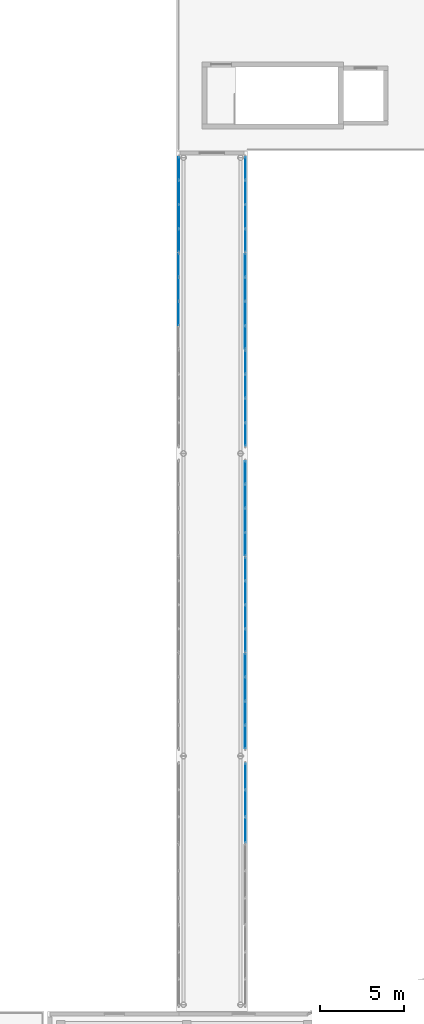
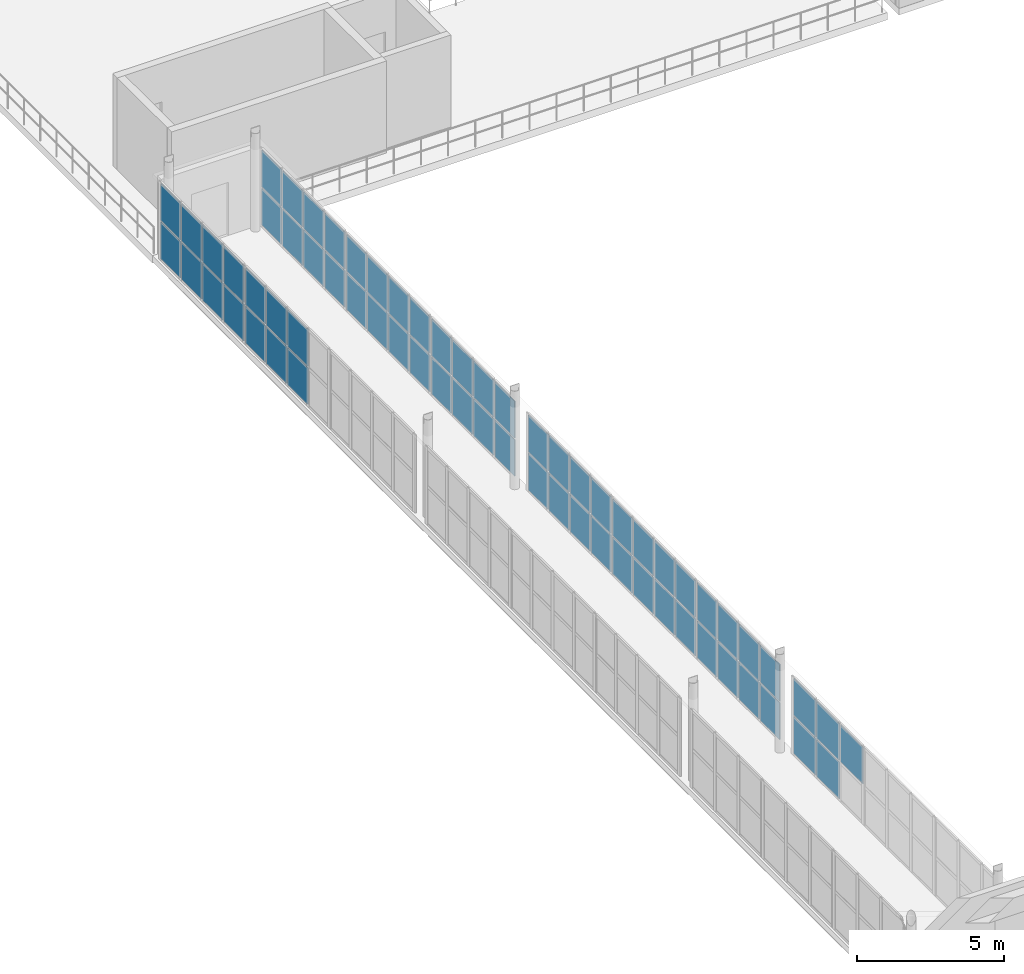
# One storey, part 39 of 52: 67 plates, 9 elements without a shape of their own.
"""IFC4 building model written with IfcOpenShell, lengths in metres."""

from ifc_helpers import new_model, si_unit, direction, frame, origin, origin_2d, place, context, subcontext, project, spatial, rectangle, extrude, material, layer, layer_set, type_object, element, aggregate, save


model = new_model("IFC4")

# Units and contexts
model_context = context("Model", 3, precision=1e-05, world=origin(), true_north=direction((0.0, 1.0)))
body_context = subcontext(model_context, "Body", "Model", "MODEL_VIEW")
ifc_project = project(units=[si_unit("LENGTHUNIT", "METRE"), si_unit("AREAUNIT", "SQUARE_METRE"), si_unit("VOLUMEUNIT", "CUBIC_METRE"), si_unit("PLANEANGLEUNIT", "RADIAN"), si_unit("MASSUNIT", "GRAM", prefix="KILO")], contexts=[model_context])

# Site, building, storey
site_placement = place(None, origin())
site = spatial("IfcSite", under=ifc_project, at=site_placement, CompositionType="ELEMENT")
building_placement = place(site_placement, origin())
building = spatial("IfcBuilding", under=site, at=building_placement, Name="Valcora Specialist Clinic", CompositionType="ELEMENT")
storey_placement = place(building_placement, frame((0.0, 0.0, 17.679931640625)))
storey = spatial("IfcBuildingStorey", under=building, at=storey_placement, Name="L04", CompositionType="ELEMENT", Elevation=17.679931640625)

# Curtain wall, plates
ifc_material_1 = material(Name="Anodized Bronze Aluminium 6063-T6", Category="aluminium")
ifc_layer_1 = layer(ifc_material_1, 0.175048828125)
ifc_layer_set_1 = layer_set([ifc_layer_1], Name="Anodized Bronze Aluminium 6063-T6")
curtain_wall_type = type_object("IfcCurtainWallType", Name="TY-CW-BRG14", PredefinedType="NOTDEFINED", material=ifc_layer_set_1)
curtain_wall_1_placement = place(storey_placement, origin())
curtain_wall_1 = element("IfcCurtainWall", 1, at=curtain_wall_1_placement, inside=storey, type_object=curtain_wall_type, Name="Curtain wall CW-L04-274", PredefinedType="NOTDEFINED")
ifc_material_2 = material(Name="Low-E Laminated Insulating Glass", Category="glass")
ifc_layer_2 = layer(ifc_material_2, 0.028076171875)
ifc_layer_set_2 = layer_set([ifc_layer_2], Name="Low-E Laminated Insulating Glass")
plate_type_1 = type_object("IfcPlateType", Name="TY-CWP-GLZ28", PredefinedType="CURTAIN_PANEL", material=ifc_layer_set_2)
plate_1_placement = place(storey_placement, frame((61.320068359375, 64.3291015625, 0.065185546875), z_axis=(0.0, 0.0, 1.0), x_axis=(0.0, 1.0, 0.0)))
plate_1 = element("IfcPlate", 2, at=plate_1_placement, type_object=plate_type_1, Name="CW-BRG-14 panel 2.1", PredefinedType="CURTAIN_PANEL", context=body_context, shape_type="SweptSolid", body=[
    extrude(rectangle(XDim=1.376708984375, YDim=0.028076171875, at=origin_2d()), origin(), (0.0, 0.0, 1.0), 1.5224609375),
])
plate_2_placement = place(storey_placement, frame((61.320068359375, 64.3291015625, 1.652587890625), z_axis=(0.0, 0.0, 1.0), x_axis=(0.0, 1.0, 0.0)))
plate_2 = element("IfcPlate", 3, at=plate_2_placement, type_object=plate_type_1, Name="CW-BRG-14 panel 2.2", PredefinedType="CURTAIN_PANEL", context=body_context, shape_type="SweptSolid", body=[
    extrude(rectangle(XDim=1.376708984375, YDim=0.028076171875, at=origin_2d()), origin(), (0.0, 0.0, 1.0), 1.5224609375),
])
plate_3_placement = place(storey_placement, frame((61.320068359375, 65.770751953125, 0.065185546875), z_axis=(0.0, 0.0, 1.0), x_axis=(0.0, 1.0, 0.0)))
plate_3 = element("IfcPlate", 4, at=plate_3_placement, type_object=plate_type_1, Name="CW-BRG-14 panel 3.1", PredefinedType="CURTAIN_PANEL", context=body_context, shape_type="SweptSolid", body=[
    extrude(rectangle(XDim=1.376708984375, YDim=0.028076171875, at=origin_2d()), origin(), (0.0, 0.0, 1.0), 1.5224609375),
])
plate_4_placement = place(storey_placement, frame((61.320068359375, 65.770751953125, 1.652587890625), z_axis=(0.0, 0.0, 1.0), x_axis=(0.0, 1.0, 0.0)))
plate_4 = element("IfcPlate", 5, at=plate_4_placement, type_object=plate_type_1, Name="CW-BRG-14 panel 3.2", PredefinedType="CURTAIN_PANEL", context=body_context, shape_type="SweptSolid", body=[
    extrude(rectangle(XDim=1.376708984375, YDim=0.028076171875, at=origin_2d()), origin(), (0.0, 0.0, 1.0), 1.5224609375),
])
plate_5_placement = place(storey_placement, frame((61.320068359375, 67.1962890625, 0.065185546875), z_axis=(0.0, 0.0, 1.0), x_axis=(0.0, 1.0, 0.0)))
plate_5 = element("IfcPlate", 6, at=plate_5_placement, type_object=plate_type_1, Name="CW-BRG-14 panel 4.1", PredefinedType="CURTAIN_PANEL", context=body_context, shape_type="SweptSolid", body=[
    extrude(rectangle(XDim=1.34423828125, YDim=0.028076171875, at=origin_2d()), origin(), (0.0, 0.0, 1.0), 1.5224609375),
])
plate_6_placement = place(storey_placement, frame((61.320068359375, 67.1962890625, 1.652587890625), z_axis=(0.0, 0.0, 1.0), x_axis=(0.0, 1.0, 0.0)))
plate_6 = element("IfcPlate", 7, at=plate_6_placement, type_object=plate_type_1, Name="CW-BRG-14 panel 4.2", PredefinedType="CURTAIN_PANEL", context=body_context, shape_type="SweptSolid", body=[
    extrude(rectangle(XDim=1.34423828125, YDim=0.028076171875, at=origin_2d()), origin(), (0.0, 0.0, 1.0), 1.5224609375),
])
aggregate(curtain_wall_1, [plate_1, plate_2, plate_3, plate_4, plate_5, plate_6])

curtain_wall_2_placement = place(storey_placement, origin())
curtain_wall_2 = element("IfcCurtainWall", 8, at=curtain_wall_2_placement, inside=storey, type_object=curtain_wall_type, Name="Curtain wall CW-L04-278", PredefinedType="NOTDEFINED")
plate_7_placement = place(storey_placement, frame((65.280029296875, 33.58837890625, 1.652587890625), z_axis=(0.0, 0.0, 1.0), x_axis=(0.0, 1.0, 0.0)))
plate_7 = element("IfcPlate", 9, at=plate_7_placement, type_object=plate_type_1, Name="CW-BRG-14 panel 1.2", PredefinedType="CURTAIN_PANEL", context=body_context, shape_type="SweptSolid", body=[
    extrude(rectangle(XDim=1.513671875, YDim=0.028076171875, at=origin_2d()), origin(), (0.0, 0.0, 1.0), 1.5224609375),
])
plate_8_placement = place(storey_placement, frame((65.280029296875, 35.183349609375, 0.065185546875), z_axis=(0.0, 0.0, 1.0), x_axis=(0.0, 1.0, 0.0)))
plate_8 = element("IfcPlate", 10, at=plate_8_placement, type_object=plate_type_1, Name="CW-BRG-14 panel 2.1", PredefinedType="CURTAIN_PANEL", context=body_context, shape_type="SweptSolid", body=[
    extrude(rectangle(XDim=1.546142578125, YDim=0.028076171875, at=origin_2d()), origin(), (0.0, 0.0, 1.0), 1.5224609375),
])
plate_9_placement = place(storey_placement, frame((65.280029296875, 35.183349609375, 1.652587890625), z_axis=(0.0, 0.0, 1.0), x_axis=(0.0, 1.0, 0.0)))
plate_9 = element("IfcPlate", 11, at=plate_9_placement, type_object=plate_type_1, Name="CW-BRG-14 panel 2.2", PredefinedType="CURTAIN_PANEL", context=body_context, shape_type="SweptSolid", body=[
    extrude(rectangle(XDim=1.546142578125, YDim=0.028076171875, at=origin_2d()), origin(), (0.0, 0.0, 1.0), 1.5224609375),
])
plate_10_placement = place(storey_placement, frame((65.280029296875, 36.7783203125, 0.065185546875), z_axis=(0.0, 0.0, 1.0), x_axis=(0.0, 1.0, 0.0)))
plate_10 = element("IfcPlate", 12, at=plate_10_placement, type_object=plate_type_1, Name="CW-BRG-14 panel 3.1", PredefinedType="CURTAIN_PANEL", context=body_context, shape_type="SweptSolid", body=[
    extrude(rectangle(XDim=1.513671875, YDim=0.028076171875, at=origin_2d()), origin(), (0.0, 0.0, 1.0), 1.5224609375),
])
plate_11_placement = place(storey_placement, frame((65.280029296875, 36.7783203125, 1.652587890625), z_axis=(0.0, 0.0, 1.0), x_axis=(0.0, 1.0, 0.0)))
plate_11 = element("IfcPlate", 13, at=plate_11_placement, type_object=plate_type_1, Name="CW-BRG-14 panel 3.2", PredefinedType="CURTAIN_PANEL", context=body_context, shape_type="SweptSolid", body=[
    extrude(rectangle(XDim=1.513671875, YDim=0.028076171875, at=origin_2d()), origin(), (0.0, 0.0, 1.0), 1.5224609375),
])
aggregate(curtain_wall_2, [plate_7, plate_8, plate_9, plate_10, plate_11])

curtain_wall_3_placement = place(storey_placement, origin())
curtain_wall_3 = element("IfcCurtainWall", 14, at=curtain_wall_3_placement, inside=storey, type_object=curtain_wall_type, Name="Curtain wall CW-L04-280", PredefinedType="NOTDEFINED")
plate_12_placement = place(storey_placement, frame((65.280029296875, 44.8662109375, 0.065185546875), z_axis=(0.0, 0.0, 1.0), x_axis=(0.0, 1.0, 0.0)))
plate_12 = element("IfcPlate", 15, at=plate_12_placement, type_object=plate_type_1, Name="CW-BRG-14 panel 1.1", PredefinedType="CURTAIN_PANEL", context=body_context, shape_type="SweptSolid", body=[
    extrude(rectangle(XDim=1.3359375, YDim=0.028076171875, at=origin_2d()), origin(), (0.0, 0.0, 1.0), 1.5224609375),
])
plate_13_placement = place(storey_placement, frame((65.280029296875, 44.8662109375, 1.652587890625), z_axis=(0.0, 0.0, 1.0), x_axis=(0.0, 1.0, 0.0)))
plate_13 = element("IfcPlate", 16, at=plate_13_placement, type_object=plate_type_1, Name="CW-BRG-14 panel 1.2", PredefinedType="CURTAIN_PANEL", context=body_context, shape_type="SweptSolid", body=[
    extrude(rectangle(XDim=1.3359375, YDim=0.028076171875, at=origin_2d()), origin(), (0.0, 0.0, 1.0), 1.5224609375),
])
plate_14_placement = place(storey_placement, frame((65.280029296875, 46.283203125, 0.065185546875), z_axis=(0.0, 0.0, 1.0), x_axis=(0.0, 1.0, 0.0)))
plate_14 = element("IfcPlate", 17, at=plate_14_placement, type_object=plate_type_1, Name="CW-BRG-14 panel 2.1", PredefinedType="CURTAIN_PANEL", context=body_context, shape_type="SweptSolid", body=[
    extrude(rectangle(XDim=1.368408203125, YDim=0.028076171875, at=origin_2d()), origin(), (0.0, 0.0, 1.0), 1.5224609375),
])
plate_15_placement = place(storey_placement, frame((65.280029296875, 46.283203125, 1.652587890625), z_axis=(0.0, 0.0, 1.0), x_axis=(0.0, 1.0, 0.0)))
plate_15 = element("IfcPlate", 18, at=plate_15_placement, type_object=plate_type_1, Name="CW-BRG-14 panel 2.2", PredefinedType="CURTAIN_PANEL", context=body_context, shape_type="SweptSolid", body=[
    extrude(rectangle(XDim=1.368408203125, YDim=0.028076171875, at=origin_2d()), origin(), (0.0, 0.0, 1.0), 1.5224609375),
])
plate_16_placement = place(storey_placement, frame((65.280029296875, 47.716796875, 0.065185546875), z_axis=(0.0, 0.0, 1.0), x_axis=(0.0, 1.0, 0.0)))
plate_16 = element("IfcPlate", 19, at=plate_16_placement, type_object=plate_type_1, Name="CW-BRG-14 panel 3.1", PredefinedType="CURTAIN_PANEL", context=body_context, shape_type="SweptSolid", body=[
    extrude(rectangle(XDim=1.368408203125, YDim=0.028076171875, at=origin_2d()), origin(), (0.0, 0.0, 1.0), 1.5224609375),
])
plate_17_placement = place(storey_placement, frame((65.280029296875, 47.716796875, 1.652587890625), z_axis=(0.0, 0.0, 1.0), x_axis=(0.0, 1.0, 0.0)))
plate_17 = element("IfcPlate", 20, at=plate_17_placement, type_object=plate_type_1, Name="CW-BRG-14 panel 3.2", PredefinedType="CURTAIN_PANEL", context=body_context, shape_type="SweptSolid", body=[
    extrude(rectangle(XDim=1.368408203125, YDim=0.028076171875, at=origin_2d()), origin(), (0.0, 0.0, 1.0), 1.5224609375),
])
plate_18_placement = place(storey_placement, frame((65.280029296875, 49.1337890625, 0.065185546875), z_axis=(0.0, 0.0, 1.0), x_axis=(0.0, 1.0, 0.0)))
plate_18 = element("IfcPlate", 21, at=plate_18_placement, type_object=plate_type_1, Name="CW-BRG-14 panel 4.1", PredefinedType="CURTAIN_PANEL", context=body_context, shape_type="SweptSolid", body=[
    extrude(rectangle(XDim=1.3359375, YDim=0.028076171875, at=origin_2d()), origin(), (0.0, 0.0, 1.0), 1.5224609375),
])
plate_19_placement = place(storey_placement, frame((65.280029296875, 49.1337890625, 1.652587890625), z_axis=(0.0, 0.0, 1.0), x_axis=(0.0, 1.0, 0.0)))
plate_19 = element("IfcPlate", 22, at=plate_19_placement, type_object=plate_type_1, Name="CW-BRG-14 panel 4.2", PredefinedType="CURTAIN_PANEL", context=body_context, shape_type="SweptSolid", body=[
    extrude(rectangle(XDim=1.3359375, YDim=0.028076171875, at=origin_2d()), origin(), (0.0, 0.0, 1.0), 1.5224609375),
])
aggregate(curtain_wall_3, [plate_12, plate_13, plate_14, plate_15, plate_16, plate_17, plate_18, plate_19])

curtain_wall_4_placement = place(storey_placement, origin())
curtain_wall_4 = element("IfcCurtainWall", 23, at=curtain_wall_4_placement, inside=storey, type_object=curtain_wall_type, Name="Curtain wall CW-L04-282", PredefinedType="NOTDEFINED")
plate_20_placement = place(storey_placement, frame((65.280029296875, 57.13720703125, 0.065185546875), z_axis=(0.0, 0.0, 1.0), x_axis=(0.0, 1.0, 0.0)))
plate_20 = element("IfcPlate", 24, at=plate_20_placement, type_object=plate_type_1, Name="CW-BRG-14 panel 1.1", PredefinedType="CURTAIN_PANEL", context=body_context, shape_type="SweptSolid", body=[
    extrude(rectangle(XDim=1.34423828125, YDim=0.028076171875, at=origin_2d()), origin(), (0.0, 0.0, 1.0), 1.5224609375),
])
plate_21_placement = place(storey_placement, frame((65.280029296875, 57.13720703125, 1.652587890625), z_axis=(0.0, 0.0, 1.0), x_axis=(0.0, 1.0, 0.0)))
plate_21 = element("IfcPlate", 25, at=plate_21_placement, type_object=plate_type_1, Name="CW-BRG-14 panel 1.2", PredefinedType="CURTAIN_PANEL", context=body_context, shape_type="SweptSolid", body=[
    extrude(rectangle(XDim=1.34423828125, YDim=0.028076171875, at=origin_2d()), origin(), (0.0, 0.0, 1.0), 1.5224609375),
])
plate_22_placement = place(storey_placement, frame((65.280029296875, 58.5625, 0.065185546875), z_axis=(0.0, 0.0, 1.0), x_axis=(0.0, 1.0, 0.0)))
plate_22 = element("IfcPlate", 26, at=plate_22_placement, type_object=plate_type_1, Name="CW-BRG-14 panel 2.1", PredefinedType="CURTAIN_PANEL", context=body_context, shape_type="SweptSolid", body=[
    extrude(rectangle(XDim=1.376708984375, YDim=0.028076171875, at=origin_2d()), origin(), (0.0, 0.0, 1.0), 1.5224609375),
])
plate_23_placement = place(storey_placement, frame((65.280029296875, 58.5625, 1.652587890625), z_axis=(0.0, 0.0, 1.0), x_axis=(0.0, 1.0, 0.0)))
plate_23 = element("IfcPlate", 27, at=plate_23_placement, type_object=plate_type_1, Name="CW-BRG-14 panel 2.2", PredefinedType="CURTAIN_PANEL", context=body_context, shape_type="SweptSolid", body=[
    extrude(rectangle(XDim=1.376708984375, YDim=0.028076171875, at=origin_2d()), origin(), (0.0, 0.0, 1.0), 1.5224609375),
])
plate_24_placement = place(storey_placement, frame((65.280029296875, 60.004150390625, 0.065185546875), z_axis=(0.0, 0.0, 1.0), x_axis=(0.0, 1.0, 0.0)))
plate_24 = element("IfcPlate", 28, at=plate_24_placement, type_object=plate_type_1, Name="CW-BRG-14 panel 3.1", PredefinedType="CURTAIN_PANEL", context=body_context, shape_type="SweptSolid", body=[
    extrude(rectangle(XDim=1.376708984375, YDim=0.028076171875, at=origin_2d()), origin(), (0.0, 0.0, 1.0), 1.5224609375),
])
plate_25_placement = place(storey_placement, frame((65.280029296875, 60.004150390625, 1.652587890625), z_axis=(0.0, 0.0, 1.0), x_axis=(0.0, 1.0, 0.0)))
plate_25 = element("IfcPlate", 29, at=plate_25_placement, type_object=plate_type_1, Name="CW-BRG-14 panel 3.2", PredefinedType="CURTAIN_PANEL", context=body_context, shape_type="SweptSolid", body=[
    extrude(rectangle(XDim=1.376708984375, YDim=0.028076171875, at=origin_2d()), origin(), (0.0, 0.0, 1.0), 1.5224609375),
])
plate_26_placement = place(storey_placement, frame((65.280029296875, 61.4296875, 0.065185546875), z_axis=(0.0, 0.0, 1.0), x_axis=(0.0, 1.0, 0.0)))
plate_26 = element("IfcPlate", 30, at=plate_26_placement, type_object=plate_type_1, Name="CW-BRG-14 panel 4.1", PredefinedType="CURTAIN_PANEL", context=body_context, shape_type="SweptSolid", body=[
    extrude(rectangle(XDim=1.34423828125, YDim=0.028076171875, at=origin_2d()), origin(), (0.0, 0.0, 1.0), 1.5224609375),
])
plate_27_placement = place(storey_placement, frame((65.280029296875, 61.4296875, 1.652587890625), z_axis=(0.0, 0.0, 1.0), x_axis=(0.0, 1.0, 0.0)))
plate_27 = element("IfcPlate", 31, at=plate_27_placement, type_object=plate_type_1, Name="CW-BRG-14 panel 4.2", PredefinedType="CURTAIN_PANEL", context=body_context, shape_type="SweptSolid", body=[
    extrude(rectangle(XDim=1.34423828125, YDim=0.028076171875, at=origin_2d()), origin(), (0.0, 0.0, 1.0), 1.5224609375),
])
aggregate(curtain_wall_4, [plate_20, plate_21, plate_22, plate_23, plate_24, plate_25, plate_26, plate_27])

curtain_wall_5_placement = place(storey_placement, origin())
curtain_wall_5 = element("IfcCurtainWall", 32, at=curtain_wall_5_placement, inside=storey, type_object=curtain_wall_type, Name="Curtain wall CW-L04-284", PredefinedType="NOTDEFINED")
plate_28_placement = place(storey_placement, frame((65.280029296875, 68.67041015625, 0.065185546875), z_axis=(0.0, 0.0, 1.0), x_axis=(0.0, 1.0, 0.0)))
plate_28 = element("IfcPlate", 33, at=plate_28_placement, type_object=plate_type_1, Name="CW-BRG-14 panel 1.1", PredefinedType="CURTAIN_PANEL", context=body_context, shape_type="SweptSolid", body=[
    extrude(rectangle(XDim=1.34423828125, YDim=0.028076171875, at=origin_2d()), origin(), (0.0, 0.0, 1.0), 1.5224609375),
])
plate_29_placement = place(storey_placement, frame((65.280029296875, 68.67041015625, 1.652587890625), z_axis=(0.0, 0.0, 1.0), x_axis=(0.0, 1.0, 0.0)))
plate_29 = element("IfcPlate", 34, at=plate_29_placement, type_object=plate_type_1, Name="CW-BRG-14 panel 1.2", PredefinedType="CURTAIN_PANEL", context=body_context, shape_type="SweptSolid", body=[
    extrude(rectangle(XDim=1.34423828125, YDim=0.028076171875, at=origin_2d()), origin(), (0.0, 0.0, 1.0), 1.5224609375),
])
plate_30_placement = place(storey_placement, frame((65.280029296875, 70.095703125, 0.065185546875), z_axis=(0.0, 0.0, 1.0), x_axis=(0.0, 1.0, 0.0)))
plate_30 = element("IfcPlate", 35, at=plate_30_placement, type_object=plate_type_1, Name="CW-BRG-14 panel 2.1", PredefinedType="CURTAIN_PANEL", context=body_context, shape_type="SweptSolid", body=[
    extrude(rectangle(XDim=1.376708984375, YDim=0.028076171875, at=origin_2d()), origin(), (0.0, 0.0, 1.0), 1.5224609375),
])
plate_31_placement = place(storey_placement, frame((65.280029296875, 70.095703125, 1.652587890625), z_axis=(0.0, 0.0, 1.0), x_axis=(0.0, 1.0, 0.0)))
plate_31 = element("IfcPlate", 36, at=plate_31_placement, type_object=plate_type_1, Name="CW-BRG-14 panel 2.2", PredefinedType="CURTAIN_PANEL", context=body_context, shape_type="SweptSolid", body=[
    extrude(rectangle(XDim=1.376708984375, YDim=0.028076171875, at=origin_2d()), origin(), (0.0, 0.0, 1.0), 1.5224609375),
])
plate_32_placement = place(storey_placement, frame((65.280029296875, 71.53759765625, 0.065185546875), z_axis=(0.0, 0.0, 1.0), x_axis=(0.0, 1.0, 0.0)))
plate_32 = element("IfcPlate", 37, at=plate_32_placement, type_object=plate_type_1, Name="CW-BRG-14 panel 3.1", PredefinedType="CURTAIN_PANEL", context=body_context, shape_type="SweptSolid", body=[
    extrude(rectangle(XDim=1.376708984375, YDim=0.028076171875, at=origin_2d()), origin(), (0.0, 0.0, 1.0), 1.5224609375),
])
plate_33_placement = place(storey_placement, frame((65.280029296875, 71.53759765625, 1.652587890625), z_axis=(0.0, 0.0, 1.0), x_axis=(0.0, 1.0, 0.0)))
plate_33 = element("IfcPlate", 38, at=plate_33_placement, type_object=plate_type_1, Name="CW-BRG-14 panel 3.2", PredefinedType="CURTAIN_PANEL", context=body_context, shape_type="SweptSolid", body=[
    extrude(rectangle(XDim=1.376708984375, YDim=0.028076171875, at=origin_2d()), origin(), (0.0, 0.0, 1.0), 1.5224609375),
])
plate_34_placement = place(storey_placement, frame((65.280029296875, 72.962890625, 0.065185546875), z_axis=(0.0, 0.0, 1.0), x_axis=(0.0, 1.0, 0.0)))
plate_34 = element("IfcPlate", 39, at=plate_34_placement, type_object=plate_type_1, Name="CW-BRG-14 panel 4.1", PredefinedType="CURTAIN_PANEL", context=body_context, shape_type="SweptSolid", body=[
    extrude(rectangle(XDim=1.34423828125, YDim=0.028076171875, at=origin_2d()), origin(), (0.0, 0.0, 1.0), 1.5224609375),
])
plate_35_placement = place(storey_placement, frame((65.280029296875, 72.962890625, 1.652587890625), z_axis=(0.0, 0.0, 1.0), x_axis=(0.0, 1.0, 0.0)))
plate_35 = element("IfcPlate", 40, at=plate_35_placement, type_object=plate_type_1, Name="CW-BRG-14 panel 4.2", PredefinedType="CURTAIN_PANEL", context=body_context, shape_type="SweptSolid", body=[
    extrude(rectangle(XDim=1.34423828125, YDim=0.028076171875, at=origin_2d()), origin(), (0.0, 0.0, 1.0), 1.5224609375),
])
aggregate(curtain_wall_5, [plate_28, plate_29, plate_30, plate_31, plate_32, plate_33, plate_34, plate_35])

curtain_wall_6_placement = place(storey_placement, origin())
curtain_wall_6 = element("IfcCurtainWall", 41, at=curtain_wall_6_placement, inside=storey, type_object=curtain_wall_type, Name="Curtain wall CW-L04-275", PredefinedType="NOTDEFINED")
ifc_layer_3 = layer(ifc_material_2, 0.033935546875)
ifc_layer_set_3 = layer_set([ifc_layer_3], Name="Low-E Laminated Insulating Glass")
plate_type_2 = type_object("IfcPlateType", Name="TY-CWP-GLZ34", PredefinedType="CURTAIN_PANEL", material=ifc_layer_set_3)
plate_36_placement = place(storey_placement, frame((61.320068359375, 68.67041015625, 0.065185546875), z_axis=(0.0, 0.0, 1.0), x_axis=(0.0, 1.0, 0.0)))
plate_36 = element("IfcPlate", 42, at=plate_36_placement, type_object=plate_type_2, Name="CW-BRG-14 panel 1.1", PredefinedType="CURTAIN_PANEL", context=body_context, shape_type="SweptSolid", body=[
    extrude(rectangle(XDim=1.34423828125, YDim=0.033935546875, at=origin_2d()), origin(), (0.0, 0.0, 1.0), 1.5224609375),
])
plate_37_placement = place(storey_placement, frame((61.320068359375, 68.67041015625, 1.652587890625), z_axis=(0.0, 0.0, 1.0), x_axis=(0.0, 1.0, 0.0)))
plate_37 = element("IfcPlate", 43, at=plate_37_placement, type_object=plate_type_2, Name="CW-BRG-14 panel 1.2", PredefinedType="CURTAIN_PANEL", context=body_context, shape_type="SweptSolid", body=[
    extrude(rectangle(XDim=1.34423828125, YDim=0.033935546875, at=origin_2d()), origin(), (0.0, 0.0, 1.0), 1.5224609375),
])
plate_38_placement = place(storey_placement, frame((61.320068359375, 70.095703125, 0.065185546875), z_axis=(0.0, 0.0, 1.0), x_axis=(0.0, 1.0, 0.0)))
plate_38 = element("IfcPlate", 44, at=plate_38_placement, type_object=plate_type_2, Name="CW-BRG-14 panel 2.1", PredefinedType="CURTAIN_PANEL", context=body_context, shape_type="SweptSolid", body=[
    extrude(rectangle(XDim=1.376708984375, YDim=0.033935546875, at=origin_2d()), origin(), (0.0, 0.0, 1.0), 1.5224609375),
])
plate_39_placement = place(storey_placement, frame((61.320068359375, 70.095703125, 1.652587890625), z_axis=(0.0, 0.0, 1.0), x_axis=(0.0, 1.0, 0.0)))
plate_39 = element("IfcPlate", 45, at=plate_39_placement, type_object=plate_type_2, Name="CW-BRG-14 panel 2.2", PredefinedType="CURTAIN_PANEL", context=body_context, shape_type="SweptSolid", body=[
    extrude(rectangle(XDim=1.376708984375, YDim=0.033935546875, at=origin_2d()), origin(), (0.0, 0.0, 1.0), 1.5224609375),
])
plate_40_placement = place(storey_placement, frame((61.320068359375, 71.53759765625, 0.065185546875), z_axis=(0.0, 0.0, 1.0), x_axis=(0.0, 1.0, 0.0)))
plate_40 = element("IfcPlate", 46, at=plate_40_placement, type_object=plate_type_2, Name="CW-BRG-14 panel 3.1", PredefinedType="CURTAIN_PANEL", context=body_context, shape_type="SweptSolid", body=[
    extrude(rectangle(XDim=1.376708984375, YDim=0.033935546875, at=origin_2d()), origin(), (0.0, 0.0, 1.0), 1.5224609375),
])
plate_41_placement = place(storey_placement, frame((61.320068359375, 71.53759765625, 1.652587890625), z_axis=(0.0, 0.0, 1.0), x_axis=(0.0, 1.0, 0.0)))
plate_41 = element("IfcPlate", 47, at=plate_41_placement, type_object=plate_type_2, Name="CW-BRG-14 panel 3.2", PredefinedType="CURTAIN_PANEL", context=body_context, shape_type="SweptSolid", body=[
    extrude(rectangle(XDim=1.376708984375, YDim=0.033935546875, at=origin_2d()), origin(), (0.0, 0.0, 1.0), 1.5224609375),
])
plate_42_placement = place(storey_placement, frame((61.320068359375, 72.962890625, 0.065185546875), z_axis=(0.0, 0.0, 1.0), x_axis=(0.0, 1.0, 0.0)))
plate_42 = element("IfcPlate", 48, at=plate_42_placement, type_object=plate_type_2, Name="CW-BRG-14 panel 4.1", PredefinedType="CURTAIN_PANEL", context=body_context, shape_type="SweptSolid", body=[
    extrude(rectangle(XDim=1.34423828125, YDim=0.033935546875, at=origin_2d()), origin(), (0.0, 0.0, 1.0), 1.5224609375),
])
plate_43_placement = place(storey_placement, frame((61.320068359375, 72.962890625, 1.652587890625), z_axis=(0.0, 0.0, 1.0), x_axis=(0.0, 1.0, 0.0)))
plate_43 = element("IfcPlate", 49, at=plate_43_placement, type_object=plate_type_2, Name="CW-BRG-14 panel 4.2", PredefinedType="CURTAIN_PANEL", context=body_context, shape_type="SweptSolid", body=[
    extrude(rectangle(XDim=1.34423828125, YDim=0.033935546875, at=origin_2d()), origin(), (0.0, 0.0, 1.0), 1.5224609375),
])
aggregate(curtain_wall_6, [plate_36, plate_37, plate_38, plate_39, plate_40, plate_41, plate_42, plate_43])

curtain_wall_7_placement = place(storey_placement, origin())
curtain_wall_7 = element("IfcCurtainWall", 50, at=curtain_wall_7_placement, inside=storey, type_object=curtain_wall_type, Name="Curtain wall CW-L04-279", PredefinedType="NOTDEFINED")
plate_44_placement = place(storey_placement, frame((65.280029296875, 39.1328125, 0.065185546875), z_axis=(0.0, 0.0, 1.0), x_axis=(0.0, 1.0, 0.0)))
plate_44 = element("IfcPlate", 51, at=plate_44_placement, type_object=plate_type_2, Name="CW-BRG-14 panel 1.1", PredefinedType="CURTAIN_PANEL", context=body_context, shape_type="SweptSolid", body=[
    extrude(rectangle(XDim=1.3359375, YDim=0.033935546875, at=origin_2d()), origin(), (0.0, 0.0, 1.0), 1.5224609375),
])
plate_45_placement = place(storey_placement, frame((65.280029296875, 39.1328125, 1.652587890625), z_axis=(0.0, 0.0, 1.0), x_axis=(0.0, 1.0, 0.0)))
plate_45 = element("IfcPlate", 52, at=plate_45_placement, type_object=plate_type_2, Name="CW-BRG-14 panel 1.2", PredefinedType="CURTAIN_PANEL", context=body_context, shape_type="SweptSolid", body=[
    extrude(rectangle(XDim=1.3359375, YDim=0.033935546875, at=origin_2d()), origin(), (0.0, 0.0, 1.0), 1.5224609375),
])
plate_46_placement = place(storey_placement, frame((65.280029296875, 40.550048828125, 0.065185546875), z_axis=(0.0, 0.0, 1.0), x_axis=(0.0, 1.0, 0.0)))
plate_46 = element("IfcPlate", 53, at=plate_46_placement, type_object=plate_type_2, Name="CW-BRG-14 panel 2.1", PredefinedType="CURTAIN_PANEL", context=body_context, shape_type="SweptSolid", body=[
    extrude(rectangle(XDim=1.368408203125, YDim=0.033935546875, at=origin_2d()), origin(), (0.0, 0.0, 1.0), 1.5224609375),
])
plate_47_placement = place(storey_placement, frame((65.280029296875, 40.550048828125, 1.652587890625), z_axis=(0.0, 0.0, 1.0), x_axis=(0.0, 1.0, 0.0)))
plate_47 = element("IfcPlate", 54, at=plate_47_placement, type_object=plate_type_2, Name="CW-BRG-14 panel 2.2", PredefinedType="CURTAIN_PANEL", context=body_context, shape_type="SweptSolid", body=[
    extrude(rectangle(XDim=1.368408203125, YDim=0.033935546875, at=origin_2d()), origin(), (0.0, 0.0, 1.0), 1.5224609375),
])
plate_48_placement = place(storey_placement, frame((65.280029296875, 41.9833984375, 0.065185546875), z_axis=(0.0, 0.0, 1.0), x_axis=(0.0, 1.0, 0.0)))
plate_48 = element("IfcPlate", 55, at=plate_48_placement, type_object=plate_type_2, Name="CW-BRG-14 panel 3.1", PredefinedType="CURTAIN_PANEL", context=body_context, shape_type="SweptSolid", body=[
    extrude(rectangle(XDim=1.368408203125, YDim=0.033935546875, at=origin_2d()), origin(), (0.0, 0.0, 1.0), 1.5224609375),
])
plate_49_placement = place(storey_placement, frame((65.280029296875, 41.9833984375, 1.652587890625), z_axis=(0.0, 0.0, 1.0), x_axis=(0.0, 1.0, 0.0)))
plate_49 = element("IfcPlate", 56, at=plate_49_placement, type_object=plate_type_2, Name="CW-BRG-14 panel 3.2", PredefinedType="CURTAIN_PANEL", context=body_context, shape_type="SweptSolid", body=[
    extrude(rectangle(XDim=1.368408203125, YDim=0.033935546875, at=origin_2d()), origin(), (0.0, 0.0, 1.0), 1.5224609375),
])
plate_50_placement = place(storey_placement, frame((65.280029296875, 43.400390625, 0.065185546875), z_axis=(0.0, 0.0, 1.0), x_axis=(0.0, 1.0, 0.0)))
plate_50 = element("IfcPlate", 57, at=plate_50_placement, type_object=plate_type_2, Name="CW-BRG-14 panel 4.1", PredefinedType="CURTAIN_PANEL", context=body_context, shape_type="SweptSolid", body=[
    extrude(rectangle(XDim=1.3359375, YDim=0.033935546875, at=origin_2d()), origin(), (0.0, 0.0, 1.0), 1.5224609375),
])
plate_51_placement = place(storey_placement, frame((65.280029296875, 43.400390625, 1.652587890625), z_axis=(0.0, 0.0, 1.0), x_axis=(0.0, 1.0, 0.0)))
plate_51 = element("IfcPlate", 58, at=plate_51_placement, type_object=plate_type_2, Name="CW-BRG-14 panel 4.2", PredefinedType="CURTAIN_PANEL", context=body_context, shape_type="SweptSolid", body=[
    extrude(rectangle(XDim=1.3359375, YDim=0.033935546875, at=origin_2d()), origin(), (0.0, 0.0, 1.0), 1.5224609375),
])
aggregate(curtain_wall_7, [plate_44, plate_45, plate_46, plate_47, plate_48, plate_49, plate_50, plate_51])

curtain_wall_8_placement = place(storey_placement, origin())
curtain_wall_8 = element("IfcCurtainWall", 59, at=curtain_wall_8_placement, inside=storey, type_object=curtain_wall_type, Name="Curtain wall CW-L04-281", PredefinedType="NOTDEFINED")
plate_52_placement = place(storey_placement, frame((65.280029296875, 50.599609375, 0.065185546875), z_axis=(0.0, 0.0, 1.0), x_axis=(0.0, 1.0, 0.0)))
plate_52 = element("IfcPlate", 60, at=plate_52_placement, type_object=plate_type_2, Name="CW-BRG-14 panel 1.1", PredefinedType="CURTAIN_PANEL", context=body_context, shape_type="SweptSolid", body=[
    extrude(rectangle(XDim=1.3359375, YDim=0.033935546875, at=origin_2d()), origin(), (0.0, 0.0, 1.0), 1.5224609375),
])
plate_53_placement = place(storey_placement, frame((65.280029296875, 50.599609375, 1.652587890625), z_axis=(0.0, 0.0, 1.0), x_axis=(0.0, 1.0, 0.0)))
plate_53 = element("IfcPlate", 61, at=plate_53_placement, type_object=plate_type_2, Name="CW-BRG-14 panel 1.2", PredefinedType="CURTAIN_PANEL", context=body_context, shape_type="SweptSolid", body=[
    extrude(rectangle(XDim=1.3359375, YDim=0.033935546875, at=origin_2d()), origin(), (0.0, 0.0, 1.0), 1.5224609375),
])
plate_54_placement = place(storey_placement, frame((65.280029296875, 52.0166015625, 0.065185546875), z_axis=(0.0, 0.0, 1.0), x_axis=(0.0, 1.0, 0.0)))
plate_54 = element("IfcPlate", 62, at=plate_54_placement, type_object=plate_type_2, Name="CW-BRG-14 panel 2.1", PredefinedType="CURTAIN_PANEL", context=body_context, shape_type="SweptSolid", body=[
    extrude(rectangle(XDim=1.368408203125, YDim=0.033935546875, at=origin_2d()), origin(), (0.0, 0.0, 1.0), 1.5224609375),
])
plate_55_placement = place(storey_placement, frame((65.280029296875, 52.0166015625, 1.652587890625), z_axis=(0.0, 0.0, 1.0), x_axis=(0.0, 1.0, 0.0)))
plate_55 = element("IfcPlate", 63, at=plate_55_placement, type_object=plate_type_2, Name="CW-BRG-14 panel 2.2", PredefinedType="CURTAIN_PANEL", context=body_context, shape_type="SweptSolid", body=[
    extrude(rectangle(XDim=1.368408203125, YDim=0.033935546875, at=origin_2d()), origin(), (0.0, 0.0, 1.0), 1.5224609375),
])
plate_56_placement = place(storey_placement, frame((65.280029296875, 53.449951171875, 0.065185546875), z_axis=(0.0, 0.0, 1.0), x_axis=(0.0, 1.0, 0.0)))
plate_56 = element("IfcPlate", 64, at=plate_56_placement, type_object=plate_type_2, Name="CW-BRG-14 panel 3.1", PredefinedType="CURTAIN_PANEL", context=body_context, shape_type="SweptSolid", body=[
    extrude(rectangle(XDim=1.368408203125, YDim=0.033935546875, at=origin_2d()), origin(), (0.0, 0.0, 1.0), 1.5224609375),
])
plate_57_placement = place(storey_placement, frame((65.280029296875, 53.449951171875, 1.652587890625), z_axis=(0.0, 0.0, 1.0), x_axis=(0.0, 1.0, 0.0)))
plate_57 = element("IfcPlate", 65, at=plate_57_placement, type_object=plate_type_2, Name="CW-BRG-14 panel 3.2", PredefinedType="CURTAIN_PANEL", context=body_context, shape_type="SweptSolid", body=[
    extrude(rectangle(XDim=1.368408203125, YDim=0.033935546875, at=origin_2d()), origin(), (0.0, 0.0, 1.0), 1.5224609375),
])
plate_58_placement = place(storey_placement, frame((65.280029296875, 54.8671875, 0.065185546875), z_axis=(0.0, 0.0, 1.0), x_axis=(0.0, 1.0, 0.0)))
plate_58 = element("IfcPlate", 66, at=plate_58_placement, type_object=plate_type_2, Name="CW-BRG-14 panel 4.1", PredefinedType="CURTAIN_PANEL", context=body_context, shape_type="SweptSolid", body=[
    extrude(rectangle(XDim=1.3359375, YDim=0.033935546875, at=origin_2d()), origin(), (0.0, 0.0, 1.0), 1.5224609375),
])
plate_59_placement = place(storey_placement, frame((65.280029296875, 54.8671875, 1.652587890625), z_axis=(0.0, 0.0, 1.0), x_axis=(0.0, 1.0, 0.0)))
plate_59 = element("IfcPlate", 67, at=plate_59_placement, type_object=plate_type_2, Name="CW-BRG-14 panel 4.2", PredefinedType="CURTAIN_PANEL", context=body_context, shape_type="SweptSolid", body=[
    extrude(rectangle(XDim=1.3359375, YDim=0.033935546875, at=origin_2d()), origin(), (0.0, 0.0, 1.0), 1.5224609375),
])
aggregate(curtain_wall_8, [plate_52, plate_53, plate_54, plate_55, plate_56, plate_57, plate_58, plate_59])

curtain_wall_9_placement = place(storey_placement, origin())
curtain_wall_9 = element("IfcCurtainWall", 68, at=curtain_wall_9_placement, inside=storey, type_object=curtain_wall_type, Name="Curtain wall CW-L04-283", PredefinedType="NOTDEFINED")
plate_60_placement = place(storey_placement, frame((65.280029296875, 62.90380859375, 0.065185546875), z_axis=(0.0, 0.0, 1.0), x_axis=(0.0, 1.0, 0.0)))
plate_60 = element("IfcPlate", 69, at=plate_60_placement, type_object=plate_type_2, Name="CW-BRG-14 panel 1.1", PredefinedType="CURTAIN_PANEL", context=body_context, shape_type="SweptSolid", body=[
    extrude(rectangle(XDim=1.34423828125, YDim=0.033935546875, at=origin_2d()), origin(), (0.0, 0.0, 1.0), 1.5224609375),
])
plate_61_placement = place(storey_placement, frame((65.280029296875, 62.90380859375, 1.652587890625), z_axis=(0.0, 0.0, 1.0), x_axis=(0.0, 1.0, 0.0)))
plate_61 = element("IfcPlate", 70, at=plate_61_placement, type_object=plate_type_2, Name="CW-BRG-14 panel 1.2", PredefinedType="CURTAIN_PANEL", context=body_context, shape_type="SweptSolid", body=[
    extrude(rectangle(XDim=1.34423828125, YDim=0.033935546875, at=origin_2d()), origin(), (0.0, 0.0, 1.0), 1.5224609375),
])
plate_62_placement = place(storey_placement, frame((65.280029296875, 64.3291015625, 0.065185546875), z_axis=(0.0, 0.0, 1.0), x_axis=(0.0, 1.0, 0.0)))
plate_62 = element("IfcPlate", 71, at=plate_62_placement, type_object=plate_type_2, Name="CW-BRG-14 panel 2.1", PredefinedType="CURTAIN_PANEL", context=body_context, shape_type="SweptSolid", body=[
    extrude(rectangle(XDim=1.376708984375, YDim=0.033935546875, at=origin_2d()), origin(), (0.0, 0.0, 1.0), 1.5224609375),
])
plate_63_placement = place(storey_placement, frame((65.280029296875, 64.3291015625, 1.652587890625), z_axis=(0.0, 0.0, 1.0), x_axis=(0.0, 1.0, 0.0)))
plate_63 = element("IfcPlate", 72, at=plate_63_placement, type_object=plate_type_2, Name="CW-BRG-14 panel 2.2", PredefinedType="CURTAIN_PANEL", context=body_context, shape_type="SweptSolid", body=[
    extrude(rectangle(XDim=1.376708984375, YDim=0.033935546875, at=origin_2d()), origin(), (0.0, 0.0, 1.0), 1.5224609375),
])
plate_64_placement = place(storey_placement, frame((65.280029296875, 65.770751953125, 0.065185546875), z_axis=(0.0, 0.0, 1.0), x_axis=(0.0, 1.0, 0.0)))
plate_64 = element("IfcPlate", 73, at=plate_64_placement, type_object=plate_type_2, Name="CW-BRG-14 panel 3.1", PredefinedType="CURTAIN_PANEL", context=body_context, shape_type="SweptSolid", body=[
    extrude(rectangle(XDim=1.376708984375, YDim=0.033935546875, at=origin_2d()), origin(), (0.0, 0.0, 1.0), 1.5224609375),
])
plate_65_placement = place(storey_placement, frame((65.280029296875, 65.770751953125, 1.652587890625), z_axis=(0.0, 0.0, 1.0), x_axis=(0.0, 1.0, 0.0)))
plate_65 = element("IfcPlate", 74, at=plate_65_placement, type_object=plate_type_2, Name="CW-BRG-14 panel 3.2", PredefinedType="CURTAIN_PANEL", context=body_context, shape_type="SweptSolid", body=[
    extrude(rectangle(XDim=1.376708984375, YDim=0.033935546875, at=origin_2d()), origin(), (0.0, 0.0, 1.0), 1.5224609375),
])
plate_66_placement = place(storey_placement, frame((65.280029296875, 67.1962890625, 0.065185546875), z_axis=(0.0, 0.0, 1.0), x_axis=(0.0, 1.0, 0.0)))
plate_66 = element("IfcPlate", 75, at=plate_66_placement, type_object=plate_type_2, Name="CW-BRG-14 panel 4.1", PredefinedType="CURTAIN_PANEL", context=body_context, shape_type="SweptSolid", body=[
    extrude(rectangle(XDim=1.34423828125, YDim=0.033935546875, at=origin_2d()), origin(), (0.0, 0.0, 1.0), 1.5224609375),
])
plate_67_placement = place(storey_placement, frame((65.280029296875, 67.1962890625, 1.652587890625), z_axis=(0.0, 0.0, 1.0), x_axis=(0.0, 1.0, 0.0)))
plate_67 = element("IfcPlate", 76, at=plate_67_placement, type_object=plate_type_2, Name="CW-BRG-14 panel 4.2", PredefinedType="CURTAIN_PANEL", context=body_context, shape_type="SweptSolid", body=[
    extrude(rectangle(XDim=1.34423828125, YDim=0.033935546875, at=origin_2d()), origin(), (0.0, 0.0, 1.0), 1.5224609375),
])
aggregate(curtain_wall_9, [plate_60, plate_61, plate_62, plate_63, plate_64, plate_65, plate_66, plate_67])

save(model, "model.ifc")
